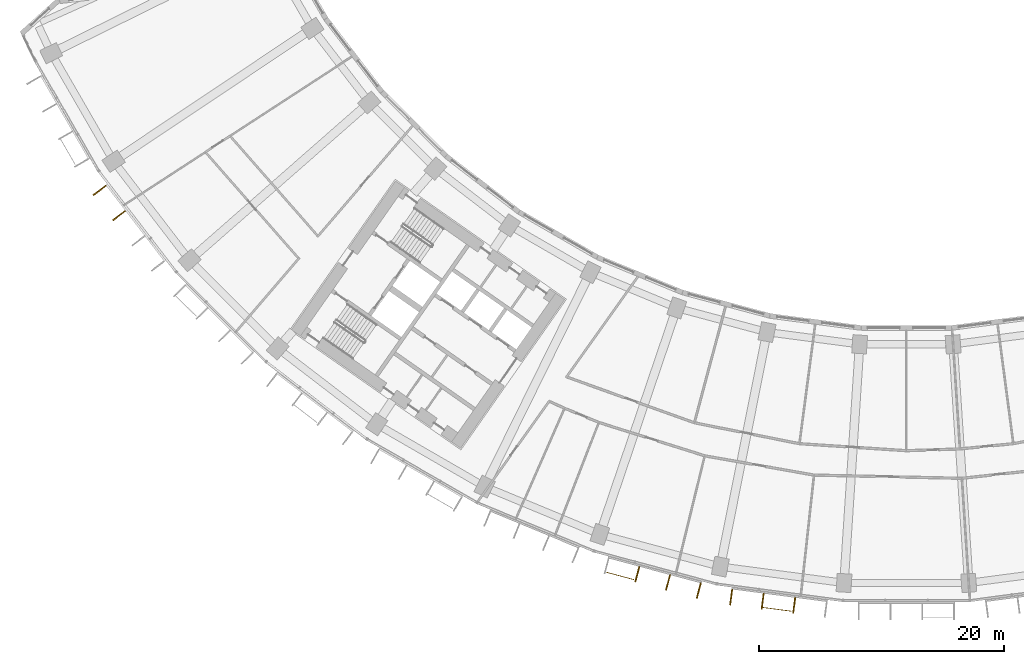
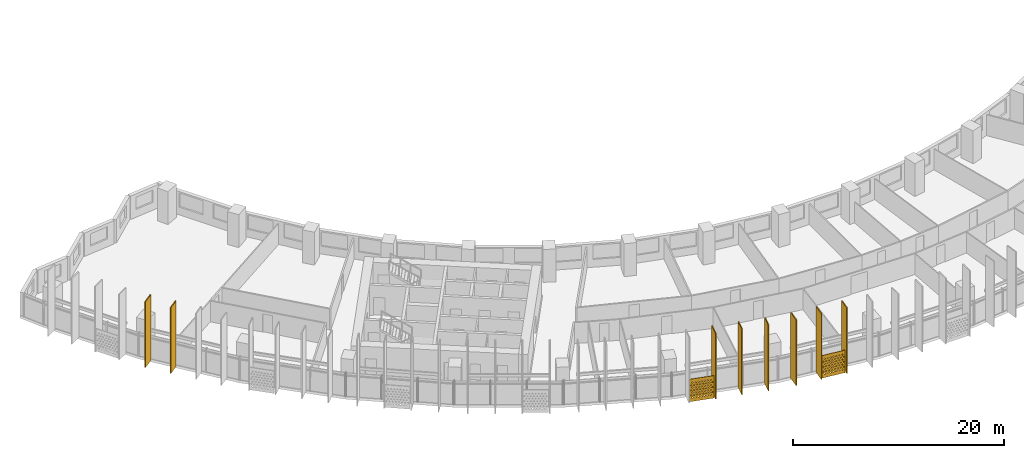
# One storey, part 25 of 30: 10 shading devices.
"""IFC4 building model written with IfcOpenShell, lengths in metres."""

from ifc_helpers import new_model, si_unit, direction, frame, origin, origin_2d, place, context, subcontext, project, spatial, polyline, rectangle, outline, extrude, material, material_profile, profile_set, type_object, element, save


model = new_model("IFC4")

# Units and contexts
model_context = context("Model", 3, precision=1e-05, world=origin(), true_north=direction((0.0, 1.0)))
body_context = subcontext(model_context, "Body", "Model", "MODEL_VIEW")
ifc_project = project(units=[si_unit("LENGTHUNIT", "METRE"), si_unit("AREAUNIT", "SQUARE_METRE"), si_unit("VOLUMEUNIT", "CUBIC_METRE"), si_unit("PLANEANGLEUNIT", "RADIAN"), si_unit("MASSUNIT", "GRAM", prefix="KILO")], contexts=[model_context])

# Site, building, storey
site_placement = place(None, origin())
site = spatial("IfcSite", under=ifc_project, at=site_placement, CompositionType="ELEMENT")
building_placement = place(site_placement, origin())
building = spatial("IfcBuilding", under=site, at=building_placement, Name="Qamariyya Broadcast Tower", CompositionType="ELEMENT")
storey_placement = place(building_placement, frame((0.0, 0.0, 117.699951171875)))
storey = spatial("IfcBuildingStorey", under=building, at=storey_placement, Name="L26", CompositionType="ELEMENT", Elevation=117.699951171875)

# Shading devices
ifc_material_1 = material(Name="Perforated glazed terracotta", Category="masonry")
ifc_material_profile_1 = material_profile(ifc_material_1, outline(polyline([(-1.199951171875, -1.300048828125), (1.199951171875, -1.300048828125), (1.199951171875, 1.300048828125), (-1.199951171875, 1.300048828125), (-1.199951171875, -1.300048828125)]), holes=[polyline([(-0.81494140625, -0.86669921875), (-0.89990234375, -0.78173828125), (-0.985107421875, -0.86669921875), (-0.89990234375, -0.95166015625), (-0.81494140625, -0.86669921875)]), polyline([(-0.514892578125, -0.86669921875), (-0.60009765625, -0.78173828125), (-0.68505859375, -0.86669921875), (-0.60009765625, -0.95166015625), (-0.514892578125, -0.86669921875)]), polyline([(-0.215087890625, -0.86669921875), (-0.300048828125, -0.78173828125), (-0.385009765625, -0.86669921875), (-0.300048828125, -0.95166015625), (-0.215087890625, -0.86669921875)]), polyline([(0.0849609375, -0.86669921875), (0.0, -0.78173828125), (-0.0849609375, -0.86669921875), (0.0, -0.95166015625), (0.0849609375, -0.86669921875)]), polyline([(0.385009765625, -0.86669921875), (0.300048828125, -0.78173828125), (0.215087890625, -0.86669921875), (0.300048828125, -0.95166015625), (0.385009765625, -0.86669921875)]), polyline([(0.68505859375, -0.86669921875), (0.60009765625, -0.78173828125), (0.514892578125, -0.86669921875), (0.60009765625, -0.95166015625), (0.68505859375, -0.86669921875)]), polyline([(0.985107421875, -0.86669921875), (0.89990234375, -0.78173828125), (0.81494140625, -0.86669921875), (0.89990234375, -0.95166015625), (0.985107421875, -0.86669921875)]), polyline([(-0.965087890625, -0.577880859375), (-1.050048828125, -0.49267578125), (-1.135009765625, -0.577880859375), (-1.050048828125, -0.662841796875), (-0.965087890625, -0.577880859375)]), polyline([(-0.6650390625, -0.577880859375), (-0.75, -0.49267578125), (-0.8349609375, -0.577880859375), (-0.75, -0.662841796875), (-0.6650390625, -0.577880859375)]), polyline([(-0.364990234375, -0.577880859375), (-0.449951171875, -0.49267578125), (-0.534912109375, -0.577880859375), (-0.449951171875, -0.662841796875), (-0.364990234375, -0.577880859375)]), polyline([(-0.06494140625, -0.577880859375), (-0.14990234375, -0.49267578125), (-0.235107421875, -0.577880859375), (-0.14990234375, -0.662841796875), (-0.06494140625, -0.577880859375)]), polyline([(0.235107421875, -0.577880859375), (0.14990234375, -0.49267578125), (0.06494140625, -0.577880859375), (0.14990234375, -0.662841796875), (0.235107421875, -0.577880859375)]), polyline([(0.534912109375, -0.577880859375), (0.449951171875, -0.49267578125), (0.364990234375, -0.577880859375), (0.449951171875, -0.662841796875), (0.534912109375, -0.577880859375)]), polyline([(0.8349609375, -0.577880859375), (0.75, -0.49267578125), (0.6650390625, -0.577880859375), (0.75, -0.662841796875), (0.8349609375, -0.577880859375)]), polyline([(1.135009765625, -0.577880859375), (1.050048828125, -0.49267578125), (0.965087890625, -0.577880859375), (1.050048828125, -0.662841796875), (1.135009765625, -0.577880859375)]), polyline([(-0.81494140625, -0.288818359375), (-0.89990234375, -0.203857421875), (-0.985107421875, -0.288818359375), (-0.89990234375, -0.373779296875), (-0.81494140625, -0.288818359375)]), polyline([(-0.514892578125, -0.288818359375), (-0.60009765625, -0.203857421875), (-0.68505859375, -0.288818359375), (-0.60009765625, -0.373779296875), (-0.514892578125, -0.288818359375)]), polyline([(-0.215087890625, -0.288818359375), (-0.300048828125, -0.203857421875), (-0.385009765625, -0.288818359375), (-0.300048828125, -0.373779296875), (-0.215087890625, -0.288818359375)]), polyline([(0.0849609375, -0.288818359375), (0.0, -0.203857421875), (-0.0849609375, -0.288818359375), (0.0, -0.373779296875), (0.0849609375, -0.288818359375)]), polyline([(0.385009765625, -0.288818359375), (0.300048828125, -0.203857421875), (0.215087890625, -0.288818359375), (0.300048828125, -0.373779296875), (0.385009765625, -0.288818359375)]), polyline([(0.68505859375, -0.288818359375), (0.60009765625, -0.203857421875), (0.514892578125, -0.288818359375), (0.60009765625, -0.373779296875), (0.68505859375, -0.288818359375)]), polyline([(0.985107421875, -0.288818359375), (0.89990234375, -0.203857421875), (0.81494140625, -0.288818359375), (0.89990234375, -0.373779296875), (0.985107421875, -0.288818359375)]), polyline([(-0.965087890625, 0.0), (-1.050048828125, 0.0849609375), (-1.135009765625, 0.0), (-1.050048828125, -0.0849609375), (-0.965087890625, 0.0)]), polyline([(-0.6650390625, 0.0), (-0.75, 0.0849609375), (-0.8349609375, 0.0), (-0.75, -0.0849609375), (-0.6650390625, 0.0)]), polyline([(-0.364990234375, 0.0), (-0.449951171875, 0.0849609375), (-0.534912109375, 0.0), (-0.449951171875, -0.0849609375), (-0.364990234375, 0.0)]), polyline([(-0.06494140625, 0.0), (-0.14990234375, 0.0849609375), (-0.235107421875, 0.0), (-0.14990234375, -0.0849609375), (-0.06494140625, 0.0)]), polyline([(0.235107421875, 0.0), (0.14990234375, 0.0849609375), (0.06494140625, 0.0), (0.14990234375, -0.0849609375), (0.235107421875, 0.0)]), polyline([(0.534912109375, 0.0), (0.449951171875, 0.0849609375), (0.364990234375, 0.0), (0.449951171875, -0.0849609375), (0.534912109375, 0.0)]), polyline([(0.8349609375, 0.0), (0.75, 0.0849609375), (0.6650390625, 0.0), (0.75, -0.0849609375), (0.8349609375, 0.0)]), polyline([(1.135009765625, 0.0), (1.050048828125, 0.0849609375), (0.965087890625, 0.0), (1.050048828125, -0.0849609375), (1.135009765625, 0.0)]), polyline([(-0.81494140625, 0.288818359375), (-0.89990234375, 0.373779296875), (-0.985107421875, 0.288818359375), (-0.89990234375, 0.203857421875), (-0.81494140625, 0.288818359375)]), polyline([(-0.514892578125, 0.288818359375), (-0.60009765625, 0.373779296875), (-0.68505859375, 0.288818359375), (-0.60009765625, 0.203857421875), (-0.514892578125, 0.288818359375)]), polyline([(-0.215087890625, 0.288818359375), (-0.300048828125, 0.373779296875), (-0.385009765625, 0.288818359375), (-0.300048828125, 0.203857421875), (-0.215087890625, 0.288818359375)]), polyline([(0.0849609375, 0.288818359375), (0.0, 0.373779296875), (-0.0849609375, 0.288818359375), (0.0, 0.203857421875), (0.0849609375, 0.288818359375)]), polyline([(0.385009765625, 0.288818359375), (0.300048828125, 0.373779296875), (0.215087890625, 0.288818359375), (0.300048828125, 0.203857421875), (0.385009765625, 0.288818359375)]), polyline([(0.68505859375, 0.288818359375), (0.60009765625, 0.373779296875), (0.514892578125, 0.288818359375), (0.60009765625, 0.203857421875), (0.68505859375, 0.288818359375)]), polyline([(0.985107421875, 0.288818359375), (0.89990234375, 0.373779296875), (0.81494140625, 0.288818359375), (0.89990234375, 0.203857421875), (0.985107421875, 0.288818359375)]), polyline([(-0.965087890625, 0.577880859375), (-1.050048828125, 0.662841796875), (-1.135009765625, 0.577880859375), (-1.050048828125, 0.49267578125), (-0.965087890625, 0.577880859375)]), polyline([(-0.6650390625, 0.577880859375), (-0.75, 0.662841796875), (-0.8349609375, 0.577880859375), (-0.75, 0.49267578125), (-0.6650390625, 0.577880859375)]), polyline([(-0.364990234375, 0.577880859375), (-0.449951171875, 0.662841796875), (-0.534912109375, 0.577880859375), (-0.449951171875, 0.49267578125), (-0.364990234375, 0.577880859375)]), polyline([(-0.06494140625, 0.577880859375), (-0.14990234375, 0.662841796875), (-0.235107421875, 0.577880859375), (-0.14990234375, 0.49267578125), (-0.06494140625, 0.577880859375)]), polyline([(0.235107421875, 0.577880859375), (0.14990234375, 0.662841796875), (0.06494140625, 0.577880859375), (0.14990234375, 0.49267578125), (0.235107421875, 0.577880859375)]), polyline([(0.534912109375, 0.577880859375), (0.449951171875, 0.662841796875), (0.364990234375, 0.577880859375), (0.449951171875, 0.49267578125), (0.534912109375, 0.577880859375)]), polyline([(0.8349609375, 0.577880859375), (0.75, 0.662841796875), (0.6650390625, 0.577880859375), (0.75, 0.49267578125), (0.8349609375, 0.577880859375)]), polyline([(1.135009765625, 0.577880859375), (1.050048828125, 0.662841796875), (0.965087890625, 0.577880859375), (1.050048828125, 0.49267578125), (1.135009765625, 0.577880859375)]), polyline([(-0.81494140625, 0.86669921875), (-0.89990234375, 0.95166015625), (-0.985107421875, 0.86669921875), (-0.89990234375, 0.78173828125), (-0.81494140625, 0.86669921875)]), polyline([(-0.514892578125, 0.86669921875), (-0.60009765625, 0.95166015625), (-0.68505859375, 0.86669921875), (-0.60009765625, 0.78173828125), (-0.514892578125, 0.86669921875)]), polyline([(-0.215087890625, 0.86669921875), (-0.300048828125, 0.95166015625), (-0.385009765625, 0.86669921875), (-0.300048828125, 0.78173828125), (-0.215087890625, 0.86669921875)]), polyline([(0.0849609375, 0.86669921875), (0.0, 0.95166015625), (-0.0849609375, 0.86669921875), (0.0, 0.78173828125), (0.0849609375, 0.86669921875)]), polyline([(0.385009765625, 0.86669921875), (0.300048828125, 0.95166015625), (0.215087890625, 0.86669921875), (0.300048828125, 0.78173828125), (0.385009765625, 0.86669921875)]), polyline([(0.68505859375, 0.86669921875), (0.60009765625, 0.95166015625), (0.514892578125, 0.86669921875), (0.60009765625, 0.78173828125), (0.68505859375, 0.86669921875)]), polyline([(0.985107421875, 0.86669921875), (0.89990234375, 0.95166015625), (0.81494140625, 0.86669921875), (0.89990234375, 0.78173828125), (0.985107421875, 0.86669921875)])]))
ifc_profile_set_1 = profile_set([ifc_material_profile_1], Name="Perforated glazed terracotta")
shading_device_type_1 = type_object("IfcShadingDeviceType", Name="Perforated terracotta screen 2400 x 2600", PredefinedType="USERDEFINED", material=ifc_profile_set_1)
shading_device_1_placement = place(storey_placement, frame((-23.35888671875, -76.977294921875, 1.35009765625), z_axis=(-0.259682438219, -0.965694067125, 0.0), x_axis=(0.965694067125, -0.259682438219, 0.0)))
element("IfcShadingDevice", 1, at=shading_device_1_placement, inside=storey, type_object=shading_device_type_1, Name="e-scr-L26-07-0", ObjectType="SCREEN", PredefinedType="USERDEFINED", context=body_context, shape_type="SweptSolid", body=[
    extrude(outline(polyline([(-1.199951171875, -1.300048828125), (1.199951171875, -1.300048828125), (1.199951171875, 1.300048828125), (-1.199951171875, 1.300048828125), (-1.199951171875, -1.300048828125)]), holes=[polyline([(-0.81494140625, -0.86669921875), (-0.89990234375, -0.78173828125), (-0.985107421875, -0.86669921875), (-0.89990234375, -0.95166015625), (-0.81494140625, -0.86669921875)]), polyline([(-0.514892578125, -0.86669921875), (-0.60009765625, -0.78173828125), (-0.68505859375, -0.86669921875), (-0.60009765625, -0.95166015625), (-0.514892578125, -0.86669921875)]), polyline([(-0.215087890625, -0.86669921875), (-0.300048828125, -0.78173828125), (-0.385009765625, -0.86669921875), (-0.300048828125, -0.95166015625), (-0.215087890625, -0.86669921875)]), polyline([(0.0849609375, -0.86669921875), (0.0, -0.78173828125), (-0.0849609375, -0.86669921875), (0.0, -0.95166015625), (0.0849609375, -0.86669921875)]), polyline([(0.385009765625, -0.86669921875), (0.300048828125, -0.78173828125), (0.215087890625, -0.86669921875), (0.300048828125, -0.95166015625), (0.385009765625, -0.86669921875)]), polyline([(0.68505859375, -0.86669921875), (0.60009765625, -0.78173828125), (0.514892578125, -0.86669921875), (0.60009765625, -0.95166015625), (0.68505859375, -0.86669921875)]), polyline([(0.985107421875, -0.86669921875), (0.89990234375, -0.78173828125), (0.81494140625, -0.86669921875), (0.89990234375, -0.95166015625), (0.985107421875, -0.86669921875)]), polyline([(-0.965087890625, -0.577880859375), (-1.050048828125, -0.49267578125), (-1.135009765625, -0.577880859375), (-1.050048828125, -0.662841796875), (-0.965087890625, -0.577880859375)]), polyline([(-0.6650390625, -0.577880859375), (-0.75, -0.49267578125), (-0.8349609375, -0.577880859375), (-0.75, -0.662841796875), (-0.6650390625, -0.577880859375)]), polyline([(-0.364990234375, -0.577880859375), (-0.449951171875, -0.49267578125), (-0.534912109375, -0.577880859375), (-0.449951171875, -0.662841796875), (-0.364990234375, -0.577880859375)]), polyline([(-0.06494140625, -0.577880859375), (-0.14990234375, -0.49267578125), (-0.235107421875, -0.577880859375), (-0.14990234375, -0.662841796875), (-0.06494140625, -0.577880859375)]), polyline([(0.235107421875, -0.577880859375), (0.14990234375, -0.49267578125), (0.06494140625, -0.577880859375), (0.14990234375, -0.662841796875), (0.235107421875, -0.577880859375)]), polyline([(0.534912109375, -0.577880859375), (0.449951171875, -0.49267578125), (0.364990234375, -0.577880859375), (0.449951171875, -0.662841796875), (0.534912109375, -0.577880859375)]), polyline([(0.8349609375, -0.577880859375), (0.75, -0.49267578125), (0.6650390625, -0.577880859375), (0.75, -0.662841796875), (0.8349609375, -0.577880859375)]), polyline([(1.135009765625, -0.577880859375), (1.050048828125, -0.49267578125), (0.965087890625, -0.577880859375), (1.050048828125, -0.662841796875), (1.135009765625, -0.577880859375)]), polyline([(-0.81494140625, -0.288818359375), (-0.89990234375, -0.203857421875), (-0.985107421875, -0.288818359375), (-0.89990234375, -0.373779296875), (-0.81494140625, -0.288818359375)]), polyline([(-0.514892578125, -0.288818359375), (-0.60009765625, -0.203857421875), (-0.68505859375, -0.288818359375), (-0.60009765625, -0.373779296875), (-0.514892578125, -0.288818359375)]), polyline([(-0.215087890625, -0.288818359375), (-0.300048828125, -0.203857421875), (-0.385009765625, -0.288818359375), (-0.300048828125, -0.373779296875), (-0.215087890625, -0.288818359375)]), polyline([(0.0849609375, -0.288818359375), (0.0, -0.203857421875), (-0.0849609375, -0.288818359375), (0.0, -0.373779296875), (0.0849609375, -0.288818359375)]), polyline([(0.385009765625, -0.288818359375), (0.300048828125, -0.203857421875), (0.215087890625, -0.288818359375), (0.300048828125, -0.373779296875), (0.385009765625, -0.288818359375)]), polyline([(0.68505859375, -0.288818359375), (0.60009765625, -0.203857421875), (0.514892578125, -0.288818359375), (0.60009765625, -0.373779296875), (0.68505859375, -0.288818359375)]), polyline([(0.985107421875, -0.288818359375), (0.89990234375, -0.203857421875), (0.81494140625, -0.288818359375), (0.89990234375, -0.373779296875), (0.985107421875, -0.288818359375)]), polyline([(-0.965087890625, 0.0), (-1.050048828125, 0.0849609375), (-1.135009765625, 0.0), (-1.050048828125, -0.0849609375), (-0.965087890625, 0.0)]), polyline([(-0.6650390625, 0.0), (-0.75, 0.0849609375), (-0.8349609375, 0.0), (-0.75, -0.0849609375), (-0.6650390625, 0.0)]), polyline([(-0.364990234375, 0.0), (-0.449951171875, 0.0849609375), (-0.534912109375, 0.0), (-0.449951171875, -0.0849609375), (-0.364990234375, 0.0)]), polyline([(-0.06494140625, 0.0), (-0.14990234375, 0.0849609375), (-0.235107421875, 0.0), (-0.14990234375, -0.0849609375), (-0.06494140625, 0.0)]), polyline([(0.235107421875, 0.0), (0.14990234375, 0.0849609375), (0.06494140625, 0.0), (0.14990234375, -0.0849609375), (0.235107421875, 0.0)]), polyline([(0.534912109375, 0.0), (0.449951171875, 0.0849609375), (0.364990234375, 0.0), (0.449951171875, -0.0849609375), (0.534912109375, 0.0)]), polyline([(0.8349609375, 0.0), (0.75, 0.0849609375), (0.6650390625, 0.0), (0.75, -0.0849609375), (0.8349609375, 0.0)]), polyline([(1.135009765625, 0.0), (1.050048828125, 0.0849609375), (0.965087890625, 0.0), (1.050048828125, -0.0849609375), (1.135009765625, 0.0)]), polyline([(-0.81494140625, 0.288818359375), (-0.89990234375, 0.373779296875), (-0.985107421875, 0.288818359375), (-0.89990234375, 0.203857421875), (-0.81494140625, 0.288818359375)]), polyline([(-0.514892578125, 0.288818359375), (-0.60009765625, 0.373779296875), (-0.68505859375, 0.288818359375), (-0.60009765625, 0.203857421875), (-0.514892578125, 0.288818359375)]), polyline([(-0.215087890625, 0.288818359375), (-0.300048828125, 0.373779296875), (-0.385009765625, 0.288818359375), (-0.300048828125, 0.203857421875), (-0.215087890625, 0.288818359375)]), polyline([(0.0849609375, 0.288818359375), (0.0, 0.373779296875), (-0.0849609375, 0.288818359375), (0.0, 0.203857421875), (0.0849609375, 0.288818359375)]), polyline([(0.385009765625, 0.288818359375), (0.300048828125, 0.373779296875), (0.215087890625, 0.288818359375), (0.300048828125, 0.203857421875), (0.385009765625, 0.288818359375)]), polyline([(0.68505859375, 0.288818359375), (0.60009765625, 0.373779296875), (0.514892578125, 0.288818359375), (0.60009765625, 0.203857421875), (0.68505859375, 0.288818359375)]), polyline([(0.985107421875, 0.288818359375), (0.89990234375, 0.373779296875), (0.81494140625, 0.288818359375), (0.89990234375, 0.203857421875), (0.985107421875, 0.288818359375)]), polyline([(-0.965087890625, 0.577880859375), (-1.050048828125, 0.662841796875), (-1.135009765625, 0.577880859375), (-1.050048828125, 0.49267578125), (-0.965087890625, 0.577880859375)]), polyline([(-0.6650390625, 0.577880859375), (-0.75, 0.662841796875), (-0.8349609375, 0.577880859375), (-0.75, 0.49267578125), (-0.6650390625, 0.577880859375)]), polyline([(-0.364990234375, 0.577880859375), (-0.449951171875, 0.662841796875), (-0.534912109375, 0.577880859375), (-0.449951171875, 0.49267578125), (-0.364990234375, 0.577880859375)]), polyline([(-0.06494140625, 0.577880859375), (-0.14990234375, 0.662841796875), (-0.235107421875, 0.577880859375), (-0.14990234375, 0.49267578125), (-0.06494140625, 0.577880859375)]), polyline([(0.235107421875, 0.577880859375), (0.14990234375, 0.662841796875), (0.06494140625, 0.577880859375), (0.14990234375, 0.49267578125), (0.235107421875, 0.577880859375)]), polyline([(0.534912109375, 0.577880859375), (0.449951171875, 0.662841796875), (0.364990234375, 0.577880859375), (0.449951171875, 0.49267578125), (0.534912109375, 0.577880859375)]), polyline([(0.8349609375, 0.577880859375), (0.75, 0.662841796875), (0.6650390625, 0.577880859375), (0.75, 0.49267578125), (0.8349609375, 0.577880859375)]), polyline([(1.135009765625, 0.577880859375), (1.050048828125, 0.662841796875), (0.965087890625, 0.577880859375), (1.050048828125, 0.49267578125), (1.135009765625, 0.577880859375)]), polyline([(-0.81494140625, 0.86669921875), (-0.89990234375, 0.95166015625), (-0.985107421875, 0.86669921875), (-0.89990234375, 0.78173828125), (-0.81494140625, 0.86669921875)]), polyline([(-0.514892578125, 0.86669921875), (-0.60009765625, 0.95166015625), (-0.68505859375, 0.86669921875), (-0.60009765625, 0.78173828125), (-0.514892578125, 0.86669921875)]), polyline([(-0.215087890625, 0.86669921875), (-0.300048828125, 0.95166015625), (-0.385009765625, 0.86669921875), (-0.300048828125, 0.78173828125), (-0.215087890625, 0.86669921875)]), polyline([(0.0849609375, 0.86669921875), (0.0, 0.95166015625), (-0.0849609375, 0.86669921875), (0.0, 0.78173828125), (0.0849609375, 0.86669921875)]), polyline([(0.385009765625, 0.86669921875), (0.300048828125, 0.95166015625), (0.215087890625, 0.86669921875), (0.300048828125, 0.78173828125), (0.385009765625, 0.86669921875)]), polyline([(0.68505859375, 0.86669921875), (0.60009765625, 0.95166015625), (0.514892578125, 0.86669921875), (0.60009765625, 0.78173828125), (0.68505859375, 0.86669921875)]), polyline([(0.985107421875, 0.86669921875), (0.89990234375, 0.95166015625), (0.81494140625, 0.86669921875), (0.89990234375, 0.78173828125), (0.985107421875, 0.86669921875)])]), origin(), (0.0, 0.0, 1.0), 0.06005859375),
])
shading_device_2_placement = place(storey_placement, frame((-10.54052734375, -79.706298828125, 1.35009765625), z_axis=(-0.1300340368, -0.991509530601, 0.0), x_axis=(0.991509530601, -0.1300340368, 0.0)))
element("IfcShadingDevice", 2, at=shading_device_2_placement, inside=storey, type_object=shading_device_type_1, Name="e-scr-L26-08-1", ObjectType="SCREEN", PredefinedType="USERDEFINED", context=body_context, shape_type="SweptSolid", body=[
    extrude(outline(polyline([(-1.199951171875, -1.300048828125), (1.199951171875, -1.300048828125), (1.199951171875, 1.300048828125), (-1.199951171875, 1.300048828125), (-1.199951171875, -1.300048828125)]), holes=[polyline([(-0.81494140625, -0.86669921875), (-0.89990234375, -0.78173828125), (-0.985107421875, -0.86669921875), (-0.89990234375, -0.95166015625), (-0.81494140625, -0.86669921875)]), polyline([(-0.514892578125, -0.86669921875), (-0.60009765625, -0.78173828125), (-0.68505859375, -0.86669921875), (-0.60009765625, -0.95166015625), (-0.514892578125, -0.86669921875)]), polyline([(-0.215087890625, -0.86669921875), (-0.300048828125, -0.78173828125), (-0.385009765625, -0.86669921875), (-0.300048828125, -0.95166015625), (-0.215087890625, -0.86669921875)]), polyline([(0.0849609375, -0.86669921875), (0.0, -0.78173828125), (-0.0849609375, -0.86669921875), (0.0, -0.95166015625), (0.0849609375, -0.86669921875)]), polyline([(0.385009765625, -0.86669921875), (0.300048828125, -0.78173828125), (0.215087890625, -0.86669921875), (0.300048828125, -0.95166015625), (0.385009765625, -0.86669921875)]), polyline([(0.68505859375, -0.86669921875), (0.60009765625, -0.78173828125), (0.514892578125, -0.86669921875), (0.60009765625, -0.95166015625), (0.68505859375, -0.86669921875)]), polyline([(0.985107421875, -0.86669921875), (0.89990234375, -0.78173828125), (0.81494140625, -0.86669921875), (0.89990234375, -0.95166015625), (0.985107421875, -0.86669921875)]), polyline([(-0.965087890625, -0.577880859375), (-1.050048828125, -0.49267578125), (-1.135009765625, -0.577880859375), (-1.050048828125, -0.662841796875), (-0.965087890625, -0.577880859375)]), polyline([(-0.6650390625, -0.577880859375), (-0.75, -0.49267578125), (-0.8349609375, -0.577880859375), (-0.75, -0.662841796875), (-0.6650390625, -0.577880859375)]), polyline([(-0.364990234375, -0.577880859375), (-0.449951171875, -0.49267578125), (-0.534912109375, -0.577880859375), (-0.449951171875, -0.662841796875), (-0.364990234375, -0.577880859375)]), polyline([(-0.06494140625, -0.577880859375), (-0.14990234375, -0.49267578125), (-0.235107421875, -0.577880859375), (-0.14990234375, -0.662841796875), (-0.06494140625, -0.577880859375)]), polyline([(0.235107421875, -0.577880859375), (0.14990234375, -0.49267578125), (0.06494140625, -0.577880859375), (0.14990234375, -0.662841796875), (0.235107421875, -0.577880859375)]), polyline([(0.534912109375, -0.577880859375), (0.449951171875, -0.49267578125), (0.364990234375, -0.577880859375), (0.449951171875, -0.662841796875), (0.534912109375, -0.577880859375)]), polyline([(0.8349609375, -0.577880859375), (0.75, -0.49267578125), (0.6650390625, -0.577880859375), (0.75, -0.662841796875), (0.8349609375, -0.577880859375)]), polyline([(1.135009765625, -0.577880859375), (1.050048828125, -0.49267578125), (0.965087890625, -0.577880859375), (1.050048828125, -0.662841796875), (1.135009765625, -0.577880859375)]), polyline([(-0.81494140625, -0.288818359375), (-0.89990234375, -0.203857421875), (-0.985107421875, -0.288818359375), (-0.89990234375, -0.373779296875), (-0.81494140625, -0.288818359375)]), polyline([(-0.514892578125, -0.288818359375), (-0.60009765625, -0.203857421875), (-0.68505859375, -0.288818359375), (-0.60009765625, -0.373779296875), (-0.514892578125, -0.288818359375)]), polyline([(-0.215087890625, -0.288818359375), (-0.300048828125, -0.203857421875), (-0.385009765625, -0.288818359375), (-0.300048828125, -0.373779296875), (-0.215087890625, -0.288818359375)]), polyline([(0.0849609375, -0.288818359375), (0.0, -0.203857421875), (-0.0849609375, -0.288818359375), (0.0, -0.373779296875), (0.0849609375, -0.288818359375)]), polyline([(0.385009765625, -0.288818359375), (0.300048828125, -0.203857421875), (0.215087890625, -0.288818359375), (0.300048828125, -0.373779296875), (0.385009765625, -0.288818359375)]), polyline([(0.68505859375, -0.288818359375), (0.60009765625, -0.203857421875), (0.514892578125, -0.288818359375), (0.60009765625, -0.373779296875), (0.68505859375, -0.288818359375)]), polyline([(0.985107421875, -0.288818359375), (0.89990234375, -0.203857421875), (0.81494140625, -0.288818359375), (0.89990234375, -0.373779296875), (0.985107421875, -0.288818359375)]), polyline([(-0.965087890625, 0.0), (-1.050048828125, 0.0849609375), (-1.135009765625, 0.0), (-1.050048828125, -0.0849609375), (-0.965087890625, 0.0)]), polyline([(-0.6650390625, 0.0), (-0.75, 0.0849609375), (-0.8349609375, 0.0), (-0.75, -0.0849609375), (-0.6650390625, 0.0)]), polyline([(-0.364990234375, 0.0), (-0.449951171875, 0.0849609375), (-0.534912109375, 0.0), (-0.449951171875, -0.0849609375), (-0.364990234375, 0.0)]), polyline([(-0.06494140625, 0.0), (-0.14990234375, 0.0849609375), (-0.235107421875, 0.0), (-0.14990234375, -0.0849609375), (-0.06494140625, 0.0)]), polyline([(0.235107421875, 0.0), (0.14990234375, 0.0849609375), (0.06494140625, 0.0), (0.14990234375, -0.0849609375), (0.235107421875, 0.0)]), polyline([(0.534912109375, 0.0), (0.449951171875, 0.0849609375), (0.364990234375, 0.0), (0.449951171875, -0.0849609375), (0.534912109375, 0.0)]), polyline([(0.8349609375, 0.0), (0.75, 0.0849609375), (0.6650390625, 0.0), (0.75, -0.0849609375), (0.8349609375, 0.0)]), polyline([(1.135009765625, 0.0), (1.050048828125, 0.0849609375), (0.965087890625, 0.0), (1.050048828125, -0.0849609375), (1.135009765625, 0.0)]), polyline([(-0.81494140625, 0.288818359375), (-0.89990234375, 0.373779296875), (-0.985107421875, 0.288818359375), (-0.89990234375, 0.203857421875), (-0.81494140625, 0.288818359375)]), polyline([(-0.514892578125, 0.288818359375), (-0.60009765625, 0.373779296875), (-0.68505859375, 0.288818359375), (-0.60009765625, 0.203857421875), (-0.514892578125, 0.288818359375)]), polyline([(-0.215087890625, 0.288818359375), (-0.300048828125, 0.373779296875), (-0.385009765625, 0.288818359375), (-0.300048828125, 0.203857421875), (-0.215087890625, 0.288818359375)]), polyline([(0.0849609375, 0.288818359375), (0.0, 0.373779296875), (-0.0849609375, 0.288818359375), (0.0, 0.203857421875), (0.0849609375, 0.288818359375)]), polyline([(0.385009765625, 0.288818359375), (0.300048828125, 0.373779296875), (0.215087890625, 0.288818359375), (0.300048828125, 0.203857421875), (0.385009765625, 0.288818359375)]), polyline([(0.68505859375, 0.288818359375), (0.60009765625, 0.373779296875), (0.514892578125, 0.288818359375), (0.60009765625, 0.203857421875), (0.68505859375, 0.288818359375)]), polyline([(0.985107421875, 0.288818359375), (0.89990234375, 0.373779296875), (0.81494140625, 0.288818359375), (0.89990234375, 0.203857421875), (0.985107421875, 0.288818359375)]), polyline([(-0.965087890625, 0.577880859375), (-1.050048828125, 0.662841796875), (-1.135009765625, 0.577880859375), (-1.050048828125, 0.49267578125), (-0.965087890625, 0.577880859375)]), polyline([(-0.6650390625, 0.577880859375), (-0.75, 0.662841796875), (-0.8349609375, 0.577880859375), (-0.75, 0.49267578125), (-0.6650390625, 0.577880859375)]), polyline([(-0.364990234375, 0.577880859375), (-0.449951171875, 0.662841796875), (-0.534912109375, 0.577880859375), (-0.449951171875, 0.49267578125), (-0.364990234375, 0.577880859375)]), polyline([(-0.06494140625, 0.577880859375), (-0.14990234375, 0.662841796875), (-0.235107421875, 0.577880859375), (-0.14990234375, 0.49267578125), (-0.06494140625, 0.577880859375)]), polyline([(0.235107421875, 0.577880859375), (0.14990234375, 0.662841796875), (0.06494140625, 0.577880859375), (0.14990234375, 0.49267578125), (0.235107421875, 0.577880859375)]), polyline([(0.534912109375, 0.577880859375), (0.449951171875, 0.662841796875), (0.364990234375, 0.577880859375), (0.449951171875, 0.49267578125), (0.534912109375, 0.577880859375)]), polyline([(0.8349609375, 0.577880859375), (0.75, 0.662841796875), (0.6650390625, 0.577880859375), (0.75, 0.49267578125), (0.8349609375, 0.577880859375)]), polyline([(1.135009765625, 0.577880859375), (1.050048828125, 0.662841796875), (0.965087890625, 0.577880859375), (1.050048828125, 0.49267578125), (1.135009765625, 0.577880859375)]), polyline([(-0.81494140625, 0.86669921875), (-0.89990234375, 0.95166015625), (-0.985107421875, 0.86669921875), (-0.89990234375, 0.78173828125), (-0.81494140625, 0.86669921875)]), polyline([(-0.514892578125, 0.86669921875), (-0.60009765625, 0.95166015625), (-0.68505859375, 0.86669921875), (-0.60009765625, 0.78173828125), (-0.514892578125, 0.86669921875)]), polyline([(-0.215087890625, 0.86669921875), (-0.300048828125, 0.95166015625), (-0.385009765625, 0.86669921875), (-0.300048828125, 0.78173828125), (-0.215087890625, 0.86669921875)]), polyline([(0.0849609375, 0.86669921875), (0.0, 0.95166015625), (-0.0849609375, 0.86669921875), (0.0, 0.78173828125), (0.0849609375, 0.86669921875)]), polyline([(0.385009765625, 0.86669921875), (0.300048828125, 0.95166015625), (0.215087890625, 0.86669921875), (0.300048828125, 0.78173828125), (0.385009765625, 0.86669921875)]), polyline([(0.68505859375, 0.86669921875), (0.60009765625, 0.95166015625), (0.514892578125, 0.86669921875), (0.60009765625, 0.78173828125), (0.68505859375, 0.86669921875)]), polyline([(0.985107421875, 0.86669921875), (0.89990234375, 0.95166015625), (0.81494140625, 0.86669921875), (0.89990234375, 0.78173828125), (0.985107421875, 0.86669921875)])]), origin(), (0.0, 0.0, 1.0), 0.06005859375),
])
ifc_material_2 = material(Name="Glazed terracotta", Category="masonry")
ifc_material_profile_2 = material_profile(ifc_material_2, rectangle(XDim=1.300048828125, YDim=0.10009765625, at=origin_2d()))
ifc_profile_set_2 = profile_set([ifc_material_profile_2], Name="Glazed terracotta")
shading_device_type_2 = type_object("IfcShadingDeviceType", Name="Terracotta fin 100 x 1300", PredefinedType="USERDEFINED", material=ifc_profile_set_2)
for number, where, z_axis, x_axis, name in (
    (3, (-65.781005859375, -45.572509765625, 0.0), (0.0, 0.0, 1.0), (-0.793353340291, -0.608761429009, 0.0), "e-fin-L26-02-0"),
    (4, (-64.2021484375, -47.629638671875, 0.0), (0.0, 0.0, 1.0), (-0.793353340291, -0.608761429009, 0.0), "e-fin-L26-02-1"),
    (5, (-21.93994140625, -76.87109375, 0.0), (0.0, 0.0, 1.0), (-0.258819045103, -0.965925826289, 0.0), "e-fin-L26-07-1"),
    (6, (-19.43505859375, -77.542236328125, 0.0), (0.0, 0.0, 1.0), (-0.258819045103, -0.965925826289, 0.0), "e-fin-L26-07-2"),
    (7, (-16.93017578125, -78.21337890625, 0.0), (0.0, 0.0, 1.0), (-0.258819045103, -0.965925826289, 0.0), "e-fin-L26-07-3"),
    (8, (-14.28955078125, -78.73876953125, 0.0), (0.0, 0.0, 1.0), (-0.13052619222, -0.991444861374, 0.0), "e-fin-L26-08-0"),
    (9, (-11.718505859375, -79.0771484375, 0.0), (0.0, 0.0, 1.0), (-0.13052619222, -0.991444861374, 0.0), "e-fin-L26-08-1"),
    (10, (-9.1474609375, -79.41552734375, 0.0), (0.0, 0.0, 1.0), (-0.13052619222, -0.991444861374, 0.0), "e-fin-L26-08-2"),
):
    element("IfcShadingDevice", number, at=place(storey_placement, frame(where, z_axis=z_axis, x_axis=x_axis)), inside=storey, type_object=shading_device_type_2, Name=name, ObjectType="FIN", PredefinedType="USERDEFINED", context=body_context, shape_type="SweptSolid", body=[
        extrude(rectangle(XDim=1.300048828125, YDim=0.10009765625, at=origin_2d()), origin(), (0.0, 0.0, 1.0), 7.60009765625),
    ])

save(model, "model.ifc")
